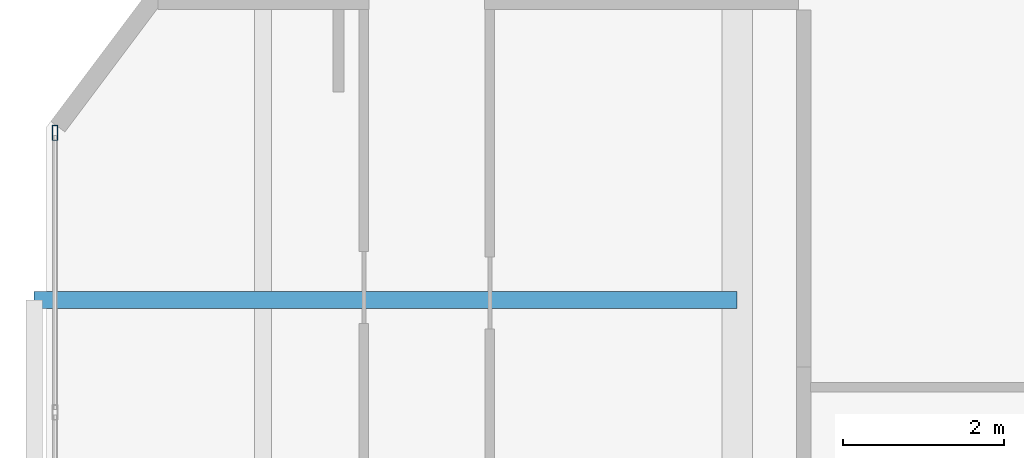
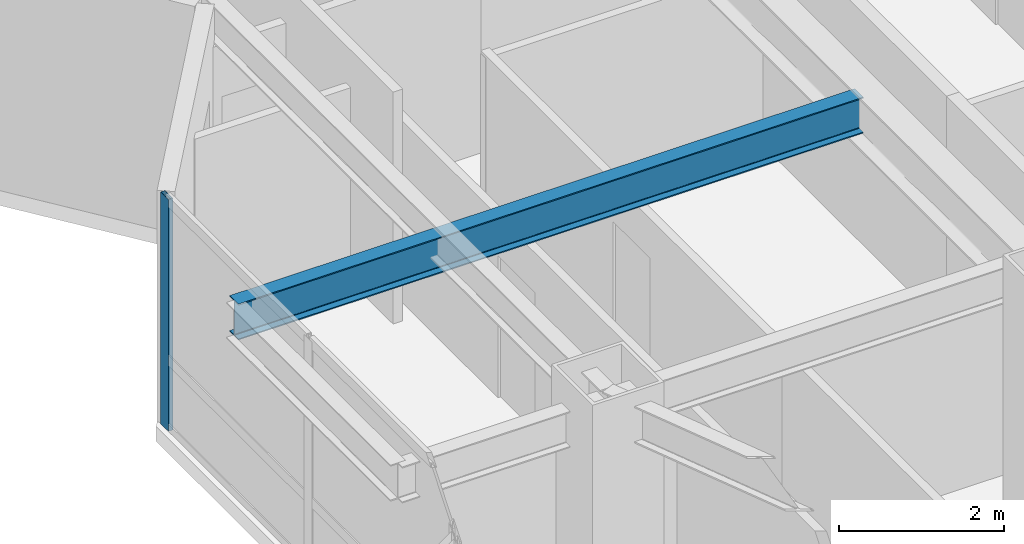
# One storey, part 6 of 18: 1 beam, 1 member, 1 element without a shape of its own.
"""IFC4 building model written with IfcOpenShell, lengths in metres."""

import ifcopenshell
import ifcopenshell.guid

model = None  # the IFC model being written
_history = None  # IfcOwnerHistory: only IFC2X3 demands one
_inside = {}  # id of a spatial element -> (the spatial element, [elements in it])
_under = {}  # id of a project, library or spatial element -> (it, [spatial elements below it])
_declared = {}  # id of a project -> (the project, [libraries it declares])
_typed = {}  # id of a type object -> (the type object, [elements of that type])
_made_of = {}  # id of a material, layer set ... -> (it, [elements and type objects made of it])


def new_model(schema):
    """Start an empty IFC model of exactly this schema.

    Asked for "IFC4X3", IfcOpenShell would pick the latest addendum, in which some entities
    have other attributes; the version numbers below select the first issue.
    IFC2X3 requires an IfcOwnerHistory on every rooted entity: one is made here for all.
    """
    global model, _history
    if schema == "IFC4X3":
        model = ifcopenshell.file(schema_version=(4, 3, 0, 0))
    else:
        model = ifcopenshell.file(schema=schema)
    _inside.clear()
    _under.clear()
    _declared.clear()
    _typed.clear()
    _made_of.clear()
    _history = None
    if model.schema == "IFC2X3":
        org = make("IfcOrganization", Name="unknown")
        user = make(
            "IfcPersonAndOrganization",
            ThePerson=make("IfcPerson", FamilyName="unknown"),
            TheOrganization=org,
        )
        app = make(
            "IfcApplication",
            ApplicationDeveloper=org,
            Version="unknown",
            ApplicationFullName="unknown",
            ApplicationIdentifier="unknown",
        )
        _history = make(
            "IfcOwnerHistory",
            OwningUser=user,
            OwningApplication=app,
            ChangeAction="ADDED",
            CreationDate=0,
        )
    return model


def make(cls, **values):
    """One entity of the class cls with the attributes given. An attribute that is None is left unset."""
    return model.create_entity(
        cls, **{name: value for name, value in values.items() if value is not None}
    )


def rooted(cls, **values):
    """An entity with a GlobalId (a new one), such as an element, a storey or a relation."""
    return make(cls, GlobalId=ifcopenshell.guid.new(), OwnerHistory=_history, **values)


def si_unit(unit_type, name, prefix=None):
    """IfcSIUnit, for example si_unit("LENGTHUNIT", "METRE", prefix="MILLI")."""
    return make("IfcSIUnit", UnitType=unit_type, Prefix=prefix, Name=name)


def assignment(units):
    """IfcUnitAssignment: the units of a project."""
    return None if units is None else make("IfcUnitAssignment", Units=units)


def point(xyz):
    """IfcCartesianPoint."""
    return None if xyz is None else make("IfcCartesianPoint", Coordinates=xyz)


def direction(xyz):
    """IfcDirection."""
    return None if xyz is None else make("IfcDirection", DirectionRatios=xyz)


def frame(location, z_axis=None, x_axis=None):
    """IfcAxis2Placement3D, a coordinate frame: its origin and axes. An axis left out is left unset."""
    return make(
        "IfcAxis2Placement3D",
        Location=point(location),
        Axis=direction(z_axis),
        RefDirection=direction(x_axis),
    )


def frame_2d(location, x_axis=None):
    """IfcAxis2Placement2D, a coordinate frame in the plane: its origin and x axis."""
    return make(
        "IfcAxis2Placement2D", Location=point(location), RefDirection=direction(x_axis)
    )


def origin():
    """The frame at (0, 0, 0) with its axes left unset."""
    return frame((0.0, 0.0, 0.0))


def origin_2d():
    """The frame at (0, 0) in the plane with its x axis left unset."""
    return frame_2d((0.0, 0.0))


def place(relative_to, where):
    """IfcLocalPlacement: puts the frame where relative to a parent placement (None: the world)."""
    return make(
        "IfcLocalPlacement", PlacementRelTo=relative_to, RelativePlacement=where
    )


def context(
    kind, dimensions, precision=None, world=None, true_north=None, identifier=None
):
    """IfcGeometricRepresentationContext, for example the 3D "Model" context."""
    return make(
        "IfcGeometricRepresentationContext",
        ContextIdentifier=identifier,
        ContextType=kind,
        CoordinateSpaceDimension=dimensions,
        Precision=precision,
        WorldCoordinateSystem=world,
        TrueNorth=true_north,
    )


def subcontext(parent, identifier, kind, view, scale=None):
    """IfcGeometricRepresentationSubContext, for example "Body" below "Model"."""
    return make(
        "IfcGeometricRepresentationSubContext",
        ContextIdentifier=identifier,
        ContextType=kind,
        ParentContext=parent,
        TargetScale=scale,
        TargetView=view,
    )


def project(units=None, contexts=None):
    """IfcProject with its units and contexts."""
    return rooted(
        "IfcProject",
        Name="project",
        RepresentationContexts=contexts,
        UnitsInContext=assignment(units),
    )


def spatial(cls, under=None, at=None, **own):
    """A site, building, storey or space (cls), placed at a placement, below another one or the project."""
    s = rooted(cls, ObjectPlacement=at, **own)
    if under is not None:
        _under.setdefault(under.id(), (under, []))[1].append(s)
    return s


def profile(cls, at=None, kind="AREA", **sizes):
    """A parametric profile (cls). Its sizes go by their IFC names, for example OverallWidth=200.0."""
    return make(cls, ProfileType=kind, Position=at, **sizes)


def hollow_rectangle(**sizes):
    """IfcRectangleHollowProfileDef."""
    return profile("IfcRectangleHollowProfileDef", **sizes)


def i_section(**sizes):
    """IfcIShapeProfileDef."""
    return profile("IfcIShapeProfileDef", **sizes)


def extrude(swept, where, along, depth):
    """IfcExtrudedAreaSolid: the profile swept, set in the frame where, extruded along a direction by depth."""
    return make(
        "IfcExtrudedAreaSolid",
        SweptArea=swept,
        Position=where,
        ExtrudedDirection=direction(along),
        Depth=depth,
    )


def shape(context_of_items, identifier, shape_type, items):
    """IfcShapeRepresentation: the items that make up one representation, for example the "Body"."""
    return make(
        "IfcShapeRepresentation",
        ContextOfItems=context_of_items,
        RepresentationIdentifier=identifier,
        RepresentationType=shape_type,
        Items=items,
    )


def material(Name=None, Category=None):
    """IfcMaterial."""
    return make("IfcMaterial", Name=Name, Category=Category)


def material_profile(
    of_material, cross_section, Name=None, Category=None, Priority=None
):
    """IfcMaterialProfile: a cross section and its material."""
    return make(
        "IfcMaterialProfile",
        Name=Name,
        Material=of_material,
        Profile=cross_section,
        Priority=Priority,
        Category=Category,
    )


def profile_set(profiles, Name=None, composite=None):
    """IfcMaterialProfileSet."""
    return make(
        "IfcMaterialProfileSet",
        Name=Name,
        MaterialProfiles=profiles,
        CompositeProfile=composite,
    )


def made_of(thing, what):
    """Note that an element or type object is made of a material, layer set ...; save() writes the relation."""
    if what is not None:
        _made_of.setdefault(what.id(), (what, []))[1].append(thing)
    return thing


def type_object(cls, material=None, **own):
    """A type object (cls), such as IfcWallType, which elements share."""
    return made_of(rooted(cls, **own), material)


def element(
    cls,
    number,
    at=None,
    inside=None,
    cuts=None,
    type_object=None,
    material=None,
    context=None,
    identifier="Body",
    shape_type=None,
    held_by="IfcProductDefinitionShape",
    body=None,
    shapes=None,
    **own,
):
    """One element of the class cls, such as IfcWall. Its Tag is "e" and its number.

    at: its placement. inside: the storey or other place that contains it. cuts: it is an
    opening in that element (IfcRelVoidsElement). A single representation is given by context,
    identifier, shape_type and body (its items); several are given by shapes. held_by: the class
    of the entity that holds the representations. save() writes the other relations.
    """
    e = rooted(cls, Tag="e%d" % number, ObjectPlacement=at, **own)
    if body is not None:
        shapes = [shape(context, identifier, shape_type, body)]
    if shapes is not None:
        e.Representation = make(held_by, Representations=shapes)
    if inside is not None:
        _inside.setdefault(inside.id(), (inside, []))[1].append(e)
    if cuts is not None:
        rooted(
            "IfcRelVoidsElement", RelatingBuildingElement=cuts, RelatedOpeningElement=e
        )
    if type_object is not None:
        _typed.setdefault(type_object.id(), (type_object, []))[1].append(e)
    return made_of(e, material)


def aggregate(whole, parts):
    """IfcRelAggregates: a whole, such as a stair, and the parts it consists of."""
    return rooted("IfcRelAggregates", RelatingObject=whole, RelatedObjects=parts)


def save(model, path):
    """Write the relations noted so far, then the file.

    IfcRelAggregates (storeys below a building ...), IfcRelContainedInSpatialStructure (elements
    in a storey), IfcRelDefinesByType, IfcRelAssociatesMaterial and IfcRelDeclares: one each for
    every whole, place, type object, material and project.
    """
    for whole, parts in _under.values():
        aggregate(whole, parts)
    for where, things in _inside.values():
        rooted(
            "IfcRelContainedInSpatialStructure",
            RelatedElements=things,
            RelatingStructure=where,
        )
    for kind, things in _typed.values():
        rooted("IfcRelDefinesByType", RelatedObjects=things, RelatingType=kind)
    for what, things in _made_of.values():
        rooted("IfcRelAssociatesMaterial", RelatedObjects=things, RelatingMaterial=what)
    for by, libraries in _declared.values():
        rooted("IfcRelDeclares", RelatingContext=by, RelatedDefinitions=libraries)
    model.write(path)


model = new_model("IFC4")

# Units and contexts
model_context = context("Model", 3, precision=1e-05, world=origin(), true_north=direction((0.0, 1.0)))
body_context = subcontext(model_context, "Body", "Model", "MODEL_VIEW")
ifc_project = project(units=[si_unit("LENGTHUNIT", "METRE"), si_unit("AREAUNIT", "SQUARE_METRE"), si_unit("VOLUMEUNIT", "CUBIC_METRE"), si_unit("PLANEANGLEUNIT", "RADIAN"), si_unit("MASSUNIT", "GRAM", prefix="KILO")], contexts=[model_context])

# Site, building, storey
site_placement = place(None, origin())
site = spatial("IfcSite", under=ifc_project, at=site_placement, CompositionType="ELEMENT")
building_placement = place(site_placement, origin())
building = spatial("IfcBuilding", under=site, at=building_placement, Name="Khamvora Tower", CompositionType="ELEMENT")
storey_placement = place(building_placement, frame((0.0, 0.0, 109.199951171875)))
storey = spatial("IfcBuildingStorey", under=building, at=storey_placement, Name="L27", CompositionType="ELEMENT", Elevation=109.199951171875)

# Beam
ifc_material_1 = material(Name="Steel S355", Category="steel")
ifc_material_profile_1 = material_profile(ifc_material_1, i_section(OverallWidth=0.208984375, OverallDepth=0.532958984375, WebThickness=0.010009765625, FlangeThickness=0.01611328125, FilletRadius=0.013916015625, at=origin_2d()), Name="W530x92")
ifc_profile_set_1 = profile_set([ifc_material_profile_1], Name="Steel S355")
beam_type = type_object("IfcBeamType", Name="BM-SP-W530x92", PredefinedType="SPANDREL", material=ifc_profile_set_1)
beam_placement = place(storey_placement, frame((18.0, 22.64990234375, 2.964111328125), z_axis=(-1.0, 0.0, 0.0), x_axis=(0.0, -1.0, 0.0)))
element("IfcBeam", 1, at=beam_placement, inside=storey, type_object=beam_type, Name="L27 continuous gallery cantilever girder L28-WL1-2", PredefinedType="SPANDREL", context=body_context, shape_type="SweptSolid", body=[
    extrude(i_section(OverallWidth=0.208984375, OverallDepth=0.532958984375, WebThickness=0.010009765625, FlangeThickness=0.01611328125, FilletRadius=0.013916015625, at=origin_2d()), origin(), (0.0, 0.0, 1.0), 8.75),
])

# Curtain wall, member
ifc_material_2 = material(Name="Anodised Aluminium 6063-T6", Category="aluminium")
curtain_wall_type = type_object("IfcCurtainWallType", Name="CW-SYS-03", PredefinedType="NOTDEFINED", material=ifc_material_2)
curtain_wall_placement = place(storey_placement, origin())
curtain_wall = element("IfcCurtainWall", 2, at=curtain_wall_placement, inside=storey, type_object=curtain_wall_type, Name="L27 stick curtain wall 02.1", PredefinedType="NOTDEFINED")
ifc_material_profile_2 = material_profile(ifc_material_2, hollow_rectangle(XDim=0.06494140625, YDim=0.18994140625, WallThickness=0.0048828125, at=origin_2d()), Name="MUL65x190x5")
ifc_profile_set_2 = profile_set([ifc_material_profile_2], Name="Anodised Aluminium 6063-T6")
member_type = type_object("IfcMemberType", Name="CW-SYS-03-MUL", PredefinedType="MULLION", material=ifc_profile_set_2)
member_placement = place(storey_placement, frame((9.510009765625, 24.73046875, 0.0), z_axis=(0.0, 0.0, 1.0), x_axis=(-1.0, 0.0, 0.0)))
member = element("IfcMember", 3, at=member_placement, type_object=member_type, Name="CW-03 mullion 5", PredefinedType="MULLION", context=body_context, shape_type="SweptSolid", body=[
    extrude(hollow_rectangle(XDim=0.06494140625, YDim=0.18994140625, WallThickness=0.0048828125, at=origin_2d()), origin(), (0.0, 0.0, 1.0), 3.429931640625),
])
aggregate(curtain_wall, [member])

save(model, "model.ifc")
